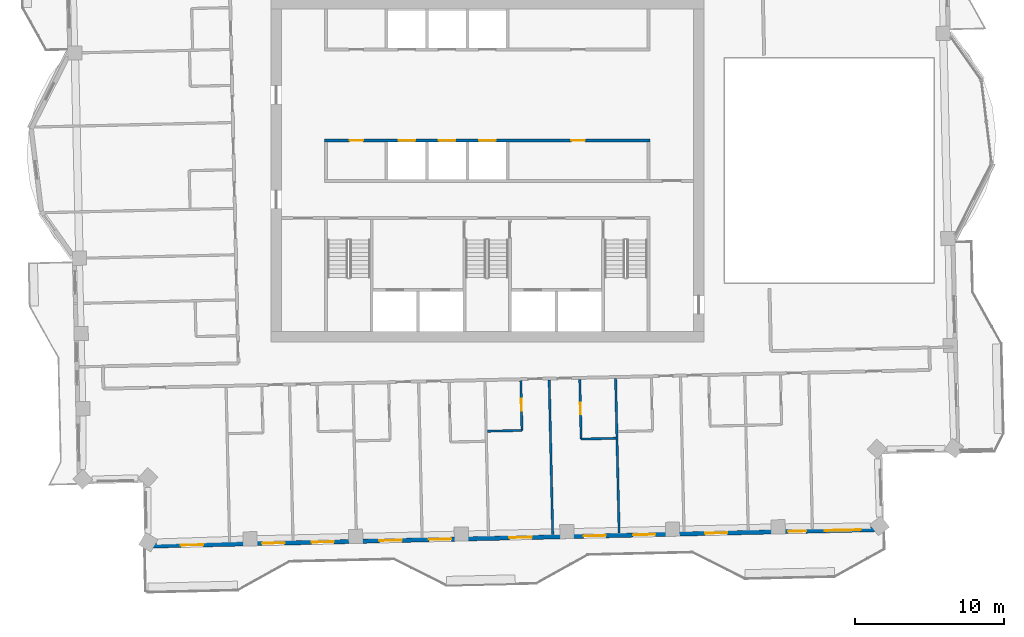
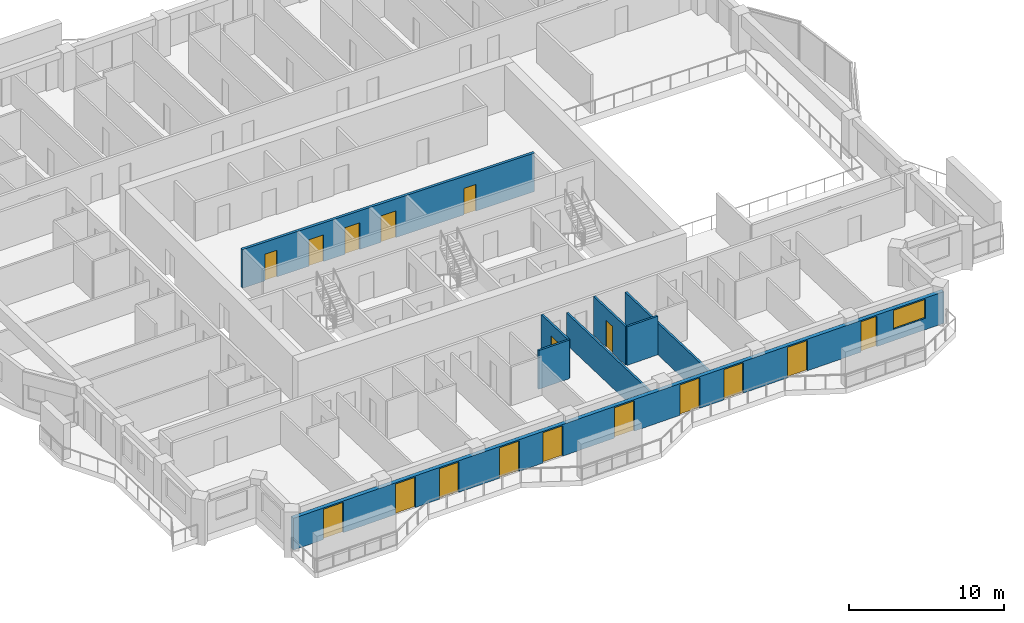
# One storey, part 10 of 19: 17 doors, 8 walls, 1 window, 18 openings.
"""IFC4 building model written with IfcOpenShell, lengths in metres."""

from ifc_helpers import new_model, si_unit, direction, frame, frame_2d, origin, place, context, subcontext, project, spatial, rectangle, extrude, material, layer, layer_set, type_object, element, fill, save


model = new_model("IFC4")

# Units and contexts
model_context = context("Model", 3, precision=1e-05, world=origin(), true_north=direction((0.0, 1.0)))
body_context = subcontext(model_context, "Body", "Model", "MODEL_VIEW")
ifc_project = project(units=[si_unit("LENGTHUNIT", "METRE"), si_unit("AREAUNIT", "SQUARE_METRE"), si_unit("VOLUMEUNIT", "CUBIC_METRE"), si_unit("PLANEANGLEUNIT", "RADIAN"), si_unit("MASSUNIT", "GRAM", prefix="KILO")], contexts=[model_context])

# Site, building, storey
site_placement = place(None, origin())
site = spatial("IfcSite", under=ifc_project, at=site_placement, CompositionType="ELEMENT")
building_placement = place(site_placement, origin())
building = spatial("IfcBuilding", under=site, at=building_placement, Name="Mangrove Gate Tower", CompositionType="ELEMENT")
storey_placement = place(building_placement, frame((0.0, 0.0, 283.5)))
storey = spatial("IfcBuildingStorey", under=building, at=storey_placement, Name="L72", CompositionType="ELEMENT", Elevation=283.5)

# Wall, openings, doors
ifc_material_1 = material(Name="Concrete C50/60", Category="concrete")
ifc_layer_1 = layer(ifc_material_1, 0.199951171875)
ifc_layer_set_1 = layer_set([ifc_layer_1], Name="Core shaft wall 200 C50/60")
wall_type_1 = type_object("IfcWallType", Name="Core shaft wall 200 C50/60", PredefinedType="SHEAR", material=ifc_layer_set_1)
wall_1_placement = place(storey_placement, frame((-10.89990234375, 2.0, 0.0), z_axis=(0.0, 0.0, 1.0), x_axis=(1.0, 0.0, 0.0)))
wall_1 = element("IfcWall", 1, at=wall_1_placement, inside=storey, type_object=wall_type_1, Name="WALL-L72-CORE-7", PredefinedType="SHEAR", context=body_context, shape_type="SweptSolid", body=[
    extrude(rectangle(XDim=21.7998046875, YDim=0.199951171875, at=frame_2d((10.89990234375, 0.0))), origin(), (0.0, 0.0, 1.0), 3.050048828125),
])
opening_1_placement = place(wall_1_placement, frame((4.949951171875, 0.0, 0.0)))
opening_1 = element("IfcOpeningElement", 2, at=opening_1_placement, cuts=wall_1, Name="Opening LD", PredefinedType="OPENING", context=body_context, shape_type="SweptSolid", body=[
    extrude(rectangle(XDim=1.10009765625, YDim=2.10009765625, at=frame_2d((0.550048828125, 1.050048828125))), frame((0.0, 0.10986328125, 0.0), z_axis=(0.0, -1.0, 0.0), x_axis=(1.0, 0.0, 0.0)), (0.0, 0.0, 1.0), 0.219970703125),
])
opening_2_placement = place(wall_1_placement, frame((7.64990234375, 0.0, 0.0)))
opening_2 = element("IfcOpeningElement", 3, at=opening_2_placement, cuts=wall_1, Name="Opening LD", PredefinedType="OPENING", context=body_context, shape_type="SweptSolid", body=[
    extrude(rectangle(XDim=1.10009765625, YDim=2.10009765625, at=frame_2d((0.550048828125, 1.050048828125))), frame((0.0, 0.10986328125, 0.0), z_axis=(0.0, -1.0, 0.0), x_axis=(1.0, 0.0, 0.0)), (0.0, 0.0, 1.0), 0.219970703125),
])
opening_3_placement = place(wall_1_placement, frame((10.35009765625, 0.0, 0.0)))
opening_3 = element("IfcOpeningElement", 4, at=opening_3_placement, cuts=wall_1, Name="Opening LD", PredefinedType="OPENING", context=body_context, shape_type="SweptSolid", body=[
    extrude(rectangle(XDim=1.10009765625, YDim=2.10009765625, at=frame_2d((0.550048828125, 1.050048828125))), frame((0.0, 0.10986328125, 0.0), z_axis=(0.0, -1.0, 0.0), x_axis=(1.0, 0.0, 0.0)), (0.0, 0.0, 1.0), 0.219970703125),
])
opening_4_placement = place(wall_1_placement, frame((1.675048828125, 0.0, 0.0)))
opening_4 = element("IfcOpeningElement", 5, at=opening_4_placement, cuts=wall_1, Name="Opening KD", PredefinedType="OPENING", context=body_context, shape_type="SweptSolid", body=[
    extrude(rectangle(XDim=0.89990234375, YDim=2.10009765625, at=frame_2d((0.449951171875, 1.050048828125))), frame((0.0, 0.10986328125, 0.0), z_axis=(0.0, -1.0, 0.0), x_axis=(1.0, 0.0, 0.0)), (0.0, 0.0, 1.0), 0.219970703125),
])
opening_5_placement = place(wall_1_placement, frame((16.52490234375, 0.0, 0.0)))
opening_5 = element("IfcOpeningElement", 6, at=opening_5_placement, cuts=wall_1, Name="Opening KD", PredefinedType="OPENING", context=body_context, shape_type="SweptSolid", body=[
    extrude(rectangle(XDim=0.89990234375, YDim=2.10009765625, at=frame_2d((0.449951171875, 1.050048828125))), frame((0.0, 0.10986328125, 0.0), z_axis=(0.0, -1.0, 0.0), x_axis=(1.0, 0.0, 0.0)), (0.0, 0.0, 1.0), 0.219970703125),
])
ifc_material_2 = material(Name="Fire-rated steel door set", Category="steel")
door_type_1 = type_object("IfcDoorType", Name="Core room door FD30S 900x2100", OperationType="SINGLE_SWING_RIGHT", PredefinedType="DOOR", material=ifc_material_2)
door_1_placement = place(opening_4_placement, origin())
door_1 = element("IfcDoor", 7, at=door_1_placement, inside=storey, type_object=door_type_1, Name="Core room door Pantry store", OperationType="SINGLE_SWING_RIGHT", OverallHeight=2.10009765625, OverallWidth=0.89990234375, PredefinedType="DOOR", context=body_context, shape_type="SweptSolid", body=[
    extrude(rectangle(XDim=0.89990234375, YDim=2.10009765625, at=frame_2d((0.449951171875, 1.050048828125))), frame((0.0, 0.02490234375, 0.0), z_axis=(0.0, -1.0, 0.0), x_axis=(1.0, 0.0, 0.0)), (0.0, 0.0, 1.0), 0.050048828125),
])
fill(opening_4, door_1)
door_2_placement = place(opening_5_placement, origin())
door_2 = element("IfcDoor", 8, at=door_2_placement, inside=storey, type_object=door_type_1, Name="Core room door Cleaner's store", OperationType="SINGLE_SWING_RIGHT", OverallHeight=2.10009765625, OverallWidth=0.89990234375, PredefinedType="DOOR", context=body_context, shape_type="SweptSolid", body=[
    extrude(rectangle(XDim=0.89990234375, YDim=2.10009765625, at=frame_2d((0.449951171875, 1.050048828125))), frame((0.0, 0.02490234375, 0.0), z_axis=(0.0, -1.0, 0.0), x_axis=(1.0, 0.0, 0.0)), (0.0, 0.0, 1.0), 0.050048828125),
])
fill(opening_5, door_2)
ifc_material_3 = material(Name="Stainless steel 316", Category="steel")
door_type_2 = type_object("IfcDoorType", Name="Lift landing door 1100x2100", OperationType="SLIDING_TO_LEFT", PredefinedType="DOOR", material=ifc_material_3)
door_3_placement = place(opening_1_placement, origin())
door_3 = element("IfcDoor", 9, at=door_3_placement, inside=storey, type_object=door_type_2, Name="Landing door LD H01", OperationType="SLIDING_TO_LEFT", OverallHeight=2.10009765625, OverallWidth=1.10009765625, PredefinedType="DOOR", context=body_context, shape_type="SweptSolid", body=[
    extrude(rectangle(XDim=1.10009765625, YDim=2.10009765625, at=frame_2d((0.550048828125, 1.050048828125))), frame((0.0, 0.02490234375, 0.0), z_axis=(0.0, -1.0, 0.0), x_axis=(1.0, 0.0, 0.0)), (0.0, 0.0, 1.0), 0.050048828125),
])
fill(opening_1, door_3)
door_4_placement = place(opening_2_placement, origin())
door_4 = element("IfcDoor", 10, at=door_4_placement, inside=storey, type_object=door_type_2, Name="Landing door LD H02", OperationType="SLIDING_TO_LEFT", OverallHeight=2.10009765625, OverallWidth=1.10009765625, PredefinedType="DOOR", context=body_context, shape_type="SweptSolid", body=[
    extrude(rectangle(XDim=1.10009765625, YDim=2.10009765625, at=frame_2d((0.550048828125, 1.050048828125))), frame((0.0, 0.02490234375, 0.0), z_axis=(0.0, -1.0, 0.0), x_axis=(1.0, 0.0, 0.0)), (0.0, 0.0, 1.0), 0.050048828125),
])
fill(opening_2, door_4)
door_5_placement = place(opening_3_placement, origin())
door_5 = element("IfcDoor", 11, at=door_5_placement, inside=storey, type_object=door_type_2, Name="Landing door LD H03", OperationType="SLIDING_TO_LEFT", OverallHeight=2.10009765625, OverallWidth=1.10009765625, PredefinedType="DOOR", context=body_context, shape_type="SweptSolid", body=[
    extrude(rectangle(XDim=1.10009765625, YDim=2.10009765625, at=frame_2d((0.550048828125, 1.050048828125))), frame((0.0, 0.02490234375, 0.0), z_axis=(0.0, -1.0, 0.0), x_axis=(1.0, 0.0, 0.0)), (0.0, 0.0, 1.0), 0.050048828125),
])
fill(opening_3, door_5)

# Wall, openings, doors, window
ifc_material_4 = material(Name="Limestone", Category="masonry")
ifc_layer_2 = layer(ifc_material_4, 0.0400390625, Name="Limestone cladding")
ifc_material_5 = material(Name="Ventilated air gap")
ifc_layer_3 = layer(ifc_material_5, 0.0400390625, Name="Ventilated cavity")
ifc_material_6 = material(Name="Mineral wool insulation")
ifc_layer_4 = layer(ifc_material_6, 0.06005859375, Name="Insulation")
ifc_material_7 = material(Name="Breather membrane")
ifc_layer_5 = layer(ifc_material_7, 0.001953125, Name="Breather membrane")
ifc_material_8 = material(Name="Concrete C20/25 blockwork", Category="masonry")
ifc_layer_6 = layer(ifc_material_8, 0.14990234375, Name="Blockwork backing wall")
ifc_material_9 = material(Name="Gypsum plaster")
ifc_layer_7 = layer(ifc_material_9, 0.008056640625, Name="Internal plaster")
ifc_layer_set_2 = layer_set([ifc_layer_2, ifc_layer_3, ifc_layer_4, ifc_layer_5, ifc_layer_6, ifc_layer_7], Name="External wall 300 limestone cladding")
wall_type_2 = type_object("IfcWallType", Name="External wall 300 limestone cladding", PredefinedType="SOLIDWALL", material=ifc_layer_set_2)
wall_2_placement = place(storey_placement, frame((-22.81591796875, -25.160888671875, 0.0), z_axis=(0.0, 0.0, 1.0), x_axis=(0.999742646411, 0.022685699159, 0.0)))
wall_2 = element("IfcWall", 12, at=wall_2_placement, inside=storey, type_object=wall_type_2, Name="WALL-L72-S13", PredefinedType="SOLIDWALL", context=body_context, shape_type="SweptSolid", body=[
    extrude(rectangle(XDim=49.235595703125, YDim=0.300048828125, at=frame_2d((24.61767578125, 0.0))), origin(), (0.0, 0.0, 1.0), 2.5),
])
opening_6_placement = place(wall_2_placement, frame((2.277099609375, 0.0, 0.0)))
opening_6 = element("IfcOpeningElement", 13, at=opening_6_placement, cuts=wall_2, Name="Opening BD1", PredefinedType="OPENING", context=body_context, shape_type="SweptSolid", body=[
    extrude(rectangle(XDim=1.5, YDim=2.39990234375, at=frame_2d((0.75, 1.199951171875))), frame((0.0, 0.159912109375, 0.0), z_axis=(0.0, -1.0, 0.0), x_axis=(1.0, 0.0, 0.0)), (0.0, 0.0, 1.0), 0.320068359375),
])
opening_7_placement = place(wall_2_placement, frame((7.72607421875, 0.0, 0.0)))
opening_7 = element("IfcOpeningElement", 14, at=opening_7_placement, cuts=wall_2, Name="Opening BD1", PredefinedType="OPENING", context=body_context, shape_type="SweptSolid", body=[
    extrude(rectangle(XDim=1.5, YDim=2.39990234375, at=frame_2d((0.75, 1.199951171875))), frame((0.0, 0.159912109375, 0.0), z_axis=(0.0, -1.0, 0.0), x_axis=(1.0, 0.0, 0.0)), (0.0, 0.0, 1.0), 0.320068359375),
])
opening_8_placement = place(wall_2_placement, frame((11.0390625, 0.0, 0.0)))
opening_8 = element("IfcOpeningElement", 15, at=opening_8_placement, cuts=wall_2, Name="Opening BD1", PredefinedType="OPENING", context=body_context, shape_type="SweptSolid", body=[
    extrude(rectangle(XDim=1.5, YDim=2.39990234375, at=frame_2d((0.75, 1.199951171875))), frame((0.0, 0.159912109375, 0.0), z_axis=(0.0, -1.0, 0.0), x_axis=(1.0, 0.0, 0.0)), (0.0, 0.0, 1.0), 0.320068359375),
])
opening_9_placement = place(wall_2_placement, frame((15.589111328125, 0.0, 0.0)))
opening_9 = element("IfcOpeningElement", 16, at=opening_9_placement, cuts=wall_2, Name="Opening BD1", PredefinedType="OPENING", context=body_context, shape_type="SweptSolid", body=[
    extrude(rectangle(XDim=1.5, YDim=2.39990234375, at=frame_2d((0.75, 1.199951171875))), frame((0.0, 0.159912109375, 0.0), z_axis=(0.0, -1.0, 0.0), x_axis=(1.0, 0.0, 0.0)), (0.0, 0.0, 1.0), 0.320068359375),
])
opening_10_placement = place(wall_2_placement, frame((18.903076171875, 0.0, 0.0)))
opening_10 = element("IfcOpeningElement", 17, at=opening_10_placement, cuts=wall_2, Name="Opening BD1", PredefinedType="OPENING", context=body_context, shape_type="SweptSolid", body=[
    extrude(rectangle(XDim=1.5, YDim=2.39990234375, at=frame_2d((0.75, 1.199951171875))), frame((0.0, 0.159912109375, 0.0), z_axis=(0.0, -1.0, 0.0), x_axis=(1.0, 0.0, 0.0)), (0.0, 0.0, 1.0), 0.320068359375),
])
opening_11_placement = place(wall_2_placement, frame((24.300048828125, 0.0, 0.0)))
opening_11 = element("IfcOpeningElement", 18, at=opening_11_placement, cuts=wall_2, Name="Opening BD1", PredefinedType="OPENING", context=body_context, shape_type="SweptSolid", body=[
    extrude(rectangle(XDim=1.5, YDim=2.39990234375, at=frame_2d((0.75, 1.199951171875))), frame((0.0, 0.159912109375, 0.0), z_axis=(0.0, -1.0, 0.0), x_axis=(1.0, 0.0, 0.0)), (0.0, 0.0, 1.0), 0.320068359375),
])
opening_12_placement = place(wall_2_placement, frame((29.264892578125, 0.0, 0.0)))
opening_12 = element("IfcOpeningElement", 19, at=opening_12_placement, cuts=wall_2, Name="Opening BD1", PredefinedType="OPENING", context=body_context, shape_type="SweptSolid", body=[
    extrude(rectangle(XDim=1.5, YDim=2.39990234375, at=frame_2d((0.75, 1.199951171875))), frame((0.0, 0.159912109375, 0.0), z_axis=(0.0, -1.0, 0.0), x_axis=(1.0, 0.0, 0.0)), (0.0, 0.0, 1.0), 0.320068359375),
])
opening_13_placement = place(wall_2_placement, frame((32.5791015625, 0.0, 0.0)))
opening_13 = element("IfcOpeningElement", 20, at=opening_13_placement, cuts=wall_2, Name="Opening BD1", PredefinedType="OPENING", context=body_context, shape_type="SweptSolid", body=[
    extrude(rectangle(XDim=1.5, YDim=2.39990234375, at=frame_2d((0.75, 1.199951171875))), frame((0.0, 0.159912109375, 0.0), z_axis=(0.0, -1.0, 0.0), x_axis=(1.0, 0.0, 0.0)), (0.0, 0.0, 1.0), 0.320068359375),
])
opening_14_placement = place(wall_2_placement, frame((37.39990234375, 0.0, 0.0)))
opening_14 = element("IfcOpeningElement", 21, at=opening_14_placement, cuts=wall_2, Name="Opening BD1", PredefinedType="OPENING", context=body_context, shape_type="SweptSolid", body=[
    extrude(rectangle(XDim=1.5, YDim=2.39990234375, at=frame_2d((0.75, 1.199951171875))), frame((0.0, 0.159912109375, 0.0), z_axis=(0.0, -1.0, 0.0), x_axis=(1.0, 0.0, 0.0)), (0.0, 0.0, 1.0), 0.320068359375),
])
opening_15_placement = place(wall_2_placement, frame((42.967041015625, 0.0, 0.0)))
opening_15 = element("IfcOpeningElement", 22, at=opening_15_placement, cuts=wall_2, Name="Opening BD2", PredefinedType="OPENING", context=body_context, shape_type="SweptSolid", body=[
    extrude(rectangle(XDim=1.199951171875, YDim=2.39990234375, at=frame_2d((0.60009765625, 1.199951171875))), frame((0.0, 0.159912109375, 0.0), z_axis=(0.0, -1.0, 0.0), x_axis=(1.0, 0.0, 0.0)), (0.0, 0.0, 1.0), 0.320068359375),
])
opening_16_placement = place(wall_2_placement, frame((45.4208984375, 0.0, 0.89990234375)))
opening_16 = element("IfcOpeningElement", 23, at=opening_16_placement, cuts=wall_2, Name="Opening W2", PredefinedType="OPENING", context=body_context, shape_type="SweptSolid", body=[
    extrude(rectangle(XDim=2.39990234375, YDim=1.5, at=frame_2d((1.199951171875, 0.75))), frame((0.0, 0.159912109375, 0.0), z_axis=(0.0, -1.0, 0.0), x_axis=(1.0, 0.0, 0.0)), (0.0, 0.0, 1.0), 0.320068359375),
])
ifc_material_10 = material(Name="Aluminium frame with laminated clear glass", Category="aluminium")
door_type_3 = type_object("IfcDoorType", Name="Balcony sliding door 1200x2400", OperationType="SLIDING_TO_LEFT", PredefinedType="DOOR", material=ifc_material_10)
door_6_placement = place(opening_15_placement, origin())
door_6 = element("IfcDoor", 24, at=door_6_placement, inside=storey, type_object=door_type_3, Name="DOOR-L72-S13-10", OperationType="SLIDING_TO_LEFT", OverallHeight=2.39990234375, OverallWidth=1.199951171875, PredefinedType="DOOR", context=body_context, shape_type="SweptSolid", body=[
    extrude(rectangle(XDim=1.199951171875, YDim=2.39990234375, at=frame_2d((0.60009765625, 1.199951171875))), frame((0.0, 0.02490234375, 0.0), z_axis=(0.0, -1.0, 0.0), x_axis=(1.0, 0.0, 0.0)), (0.0, 0.0, 1.0), 0.050048828125),
])
fill(opening_15, door_6)
ifc_material_11 = material(Name="Aluminium frame with laminated clear glass", Category="aluminium")
door_type_4 = type_object("IfcDoorType", Name="Balcony sliding door 1500x2400", OperationType="SLIDING_TO_LEFT", PredefinedType="DOOR", material=ifc_material_11)
door_7_placement = place(opening_6_placement, origin())
door_7 = element("IfcDoor", 25, at=door_7_placement, inside=storey, type_object=door_type_4, Name="DOOR-L72-S13-1", OperationType="SLIDING_TO_LEFT", OverallHeight=2.39990234375, OverallWidth=1.5, PredefinedType="DOOR", context=body_context, shape_type="SweptSolid", body=[
    extrude(rectangle(XDim=1.5, YDim=2.39990234375, at=frame_2d((0.75, 1.199951171875))), frame((0.0, 0.02490234375, 0.0), z_axis=(0.0, -1.0, 0.0), x_axis=(1.0, 0.0, 0.0)), (0.0, 0.0, 1.0), 0.050048828125),
])
fill(opening_6, door_7)
door_8_placement = place(opening_7_placement, origin())
door_8 = element("IfcDoor", 26, at=door_8_placement, inside=storey, type_object=door_type_4, Name="DOOR-L72-S13-2", OperationType="SLIDING_TO_LEFT", OverallHeight=2.39990234375, OverallWidth=1.5, PredefinedType="DOOR", context=body_context, shape_type="SweptSolid", body=[
    extrude(rectangle(XDim=1.5, YDim=2.39990234375, at=frame_2d((0.75, 1.199951171875))), frame((0.0, 0.02490234375, 0.0), z_axis=(0.0, -1.0, 0.0), x_axis=(1.0, 0.0, 0.0)), (0.0, 0.0, 1.0), 0.050048828125),
])
fill(opening_7, door_8)
door_9_placement = place(opening_8_placement, origin())
door_9 = element("IfcDoor", 27, at=door_9_placement, inside=storey, type_object=door_type_4, Name="DOOR-L72-S13-3", OperationType="SLIDING_TO_LEFT", OverallHeight=2.39990234375, OverallWidth=1.5, PredefinedType="DOOR", context=body_context, shape_type="SweptSolid", body=[
    extrude(rectangle(XDim=1.5, YDim=2.39990234375, at=frame_2d((0.75, 1.199951171875))), frame((0.0, 0.02490234375, 0.0), z_axis=(0.0, -1.0, 0.0), x_axis=(1.0, 0.0, 0.0)), (0.0, 0.0, 1.0), 0.050048828125),
])
fill(opening_8, door_9)
door_10_placement = place(opening_9_placement, origin())
door_10 = element("IfcDoor", 28, at=door_10_placement, inside=storey, type_object=door_type_4, Name="DOOR-L72-S13-4", OperationType="SLIDING_TO_LEFT", OverallHeight=2.39990234375, OverallWidth=1.5, PredefinedType="DOOR", context=body_context, shape_type="SweptSolid", body=[
    extrude(rectangle(XDim=1.5, YDim=2.39990234375, at=frame_2d((0.75, 1.199951171875))), frame((0.0, 0.02490234375, 0.0), z_axis=(0.0, -1.0, 0.0), x_axis=(1.0, 0.0, 0.0)), (0.0, 0.0, 1.0), 0.050048828125),
])
fill(opening_9, door_10)
door_11_placement = place(opening_10_placement, origin())
door_11 = element("IfcDoor", 29, at=door_11_placement, inside=storey, type_object=door_type_4, Name="DOOR-L72-S13-5", OperationType="SLIDING_TO_LEFT", OverallHeight=2.39990234375, OverallWidth=1.5, PredefinedType="DOOR", context=body_context, shape_type="SweptSolid", body=[
    extrude(rectangle(XDim=1.5, YDim=2.39990234375, at=frame_2d((0.75, 1.199951171875))), frame((0.0, 0.02490234375, 0.0), z_axis=(0.0, -1.0, 0.0), x_axis=(1.0, 0.0, 0.0)), (0.0, 0.0, 1.0), 0.050048828125),
])
fill(opening_10, door_11)
door_12_placement = place(opening_11_placement, origin())
door_12 = element("IfcDoor", 30, at=door_12_placement, inside=storey, type_object=door_type_4, Name="DOOR-L72-S13-6", OperationType="SLIDING_TO_LEFT", OverallHeight=2.39990234375, OverallWidth=1.5, PredefinedType="DOOR", context=body_context, shape_type="SweptSolid", body=[
    extrude(rectangle(XDim=1.5, YDim=2.39990234375, at=frame_2d((0.75, 1.199951171875))), frame((0.0, 0.02490234375, 0.0), z_axis=(0.0, -1.0, 0.0), x_axis=(1.0, 0.0, 0.0)), (0.0, 0.0, 1.0), 0.050048828125),
])
fill(opening_11, door_12)
door_13_placement = place(opening_12_placement, origin())
door_13 = element("IfcDoor", 31, at=door_13_placement, inside=storey, type_object=door_type_4, Name="DOOR-L72-S13-7", OperationType="SLIDING_TO_LEFT", OverallHeight=2.39990234375, OverallWidth=1.5, PredefinedType="DOOR", context=body_context, shape_type="SweptSolid", body=[
    extrude(rectangle(XDim=1.5, YDim=2.39990234375, at=frame_2d((0.75, 1.199951171875))), frame((0.0, 0.02490234375, 0.0), z_axis=(0.0, -1.0, 0.0), x_axis=(1.0, 0.0, 0.0)), (0.0, 0.0, 1.0), 0.050048828125),
])
fill(opening_12, door_13)
door_14_placement = place(opening_13_placement, origin())
door_14 = element("IfcDoor", 32, at=door_14_placement, inside=storey, type_object=door_type_4, Name="DOOR-L72-S13-8", OperationType="SLIDING_TO_LEFT", OverallHeight=2.39990234375, OverallWidth=1.5, PredefinedType="DOOR", context=body_context, shape_type="SweptSolid", body=[
    extrude(rectangle(XDim=1.5, YDim=2.39990234375, at=frame_2d((0.75, 1.199951171875))), frame((0.0, 0.02490234375, 0.0), z_axis=(0.0, -1.0, 0.0), x_axis=(1.0, 0.0, 0.0)), (0.0, 0.0, 1.0), 0.050048828125),
])
fill(opening_13, door_14)
door_15_placement = place(opening_14_placement, origin())
door_15 = element("IfcDoor", 33, at=door_15_placement, inside=storey, type_object=door_type_4, Name="DOOR-L72-S13-9", OperationType="SLIDING_TO_LEFT", OverallHeight=2.39990234375, OverallWidth=1.5, PredefinedType="DOOR", context=body_context, shape_type="SweptSolid", body=[
    extrude(rectangle(XDim=1.5, YDim=2.39990234375, at=frame_2d((0.75, 1.199951171875))), frame((0.0, 0.02490234375, 0.0), z_axis=(0.0, -1.0, 0.0), x_axis=(1.0, 0.0, 0.0)), (0.0, 0.0, 1.0), 0.050048828125),
])
fill(opening_14, door_15)
ifc_material_12 = material(Name="Aluminium frame with double-glazed low-e glass", Category="aluminium")
window_type = type_object("IfcWindowType", Name="Corner room window 2400x1500", PartitioningType="DOUBLE_PANEL_VERTICAL", PredefinedType="WINDOW", material=ifc_material_12)
window_placement = place(opening_16_placement, origin())
window = element("IfcWindow", 34, at=window_placement, inside=storey, type_object=window_type, Name="WIN-L72-S13-11", OverallHeight=1.5, OverallWidth=2.39990234375, PartitioningType="DOUBLE_PANEL_VERTICAL", PredefinedType="WINDOW", context=body_context, shape_type="SweptSolid", body=[
    extrude(rectangle(XDim=2.39990234375, YDim=1.5, at=frame_2d((1.199951171875, 0.75))), frame((0.0, 0.030029296875, 0.0), z_axis=(0.0, -1.0, 0.0), x_axis=(1.0, 0.0, 0.0)), (0.0, 0.0, 1.0), 0.06005859375),
])
fill(opening_16, window)

# Walls
ifc_material_13 = material(Name="Gypsum board on steel stud, EI 60", Category="steel")
ifc_layer_8 = layer(ifc_material_13, 0.14990234375)
ifc_layer_set_3 = layer_set([ifc_layer_8], Name="Party wall 150 EI 60")
wall_type_3 = type_object("IfcWallType", Name="Party wall 150 EI 60", PredefinedType="PARTITIONING", material=ifc_layer_set_3)
wall_3_placement = place(storey_placement, frame((4.3720703125, -24.39404296875, 0.0), z_axis=(0.0, 0.0, 1.0), x_axis=(-0.022713904397, 0.999742005993, 0.0)))
element("IfcWall", 35, at=wall_3_placement, inside=storey, type_object=wall_type_3, Name="WALL-L72-006", PredefinedType="PARTITIONING", context=body_context, shape_type="SweptSolid", body=[
    extrude(rectangle(XDim=10.350830078125, YDim=0.14990234375, at=frame_2d((5.17529296875, 0.0))), origin(), (0.0, 0.0, 1.0), 2.5),
])
wall_4_placement = place(storey_placement, frame((8.820068359375, -24.29296875, 0.0), z_axis=(0.0, 0.0, 1.0), x_axis=(-0.022622273571, 0.999744083623, 0.0)))
element("IfcWall", 36, at=wall_4_placement, inside=storey, type_object=wall_type_3, Name="WALL-L72-007", PredefinedType="PARTITIONING", context=body_context, shape_type="SweptSolid", body=[
    extrude(rectangle(XDim=10.349609375, YDim=0.14990234375, at=frame_2d((5.1748046875, 0.0))), origin(), (0.0, 0.0, 1.0), 2.5),
])

# Wall, opening, door
wall_5_placement = place(storey_placement, frame((6.277099609375, -17.9990234375, 0.0), z_axis=(0.0, 0.0, 1.0), x_axis=(-0.022765770952, 0.999740826251, 0.0)))
wall_5 = element("IfcWall", 37, at=wall_5_placement, inside=storey, type_object=wall_type_3, Name="WALL-L72-013", PredefinedType="PARTITIONING", context=body_context, shape_type="SweptSolid", body=[
    extrude(rectangle(XDim=4.0, YDim=0.14990234375, at=frame_2d((2.0, 0.0))), origin(), (0.0, 0.0, 1.0), 3.050048828125),
])
opening_17_placement = place(wall_5_placement, frame((1.64990234375, 0.0, 0.0)))
opening_17 = element("IfcOpeningElement", 38, at=opening_17_placement, cuts=wall_5, Name="Opening ED", PredefinedType="OPENING", context=body_context, shape_type="SweptSolid", body=[
    extrude(rectangle(XDim=0.800048828125, YDim=2.10009765625, at=frame_2d((0.39990234375, 1.050048828125))), frame((0.0, 0.0849609375, 0.0), z_axis=(0.0, -1.0, 0.0), x_axis=(1.0, 0.0, 0.0)), (0.0, 0.0, 1.0), 0.169921875),
])
ifc_material_14 = material(Name="Timber door leaf", Category="wood")
door_type_5 = type_object("IfcDoorType", Name="En-suite door 800", OperationType="SINGLE_SWING_LEFT", PredefinedType="DOOR", material=ifc_material_14)
door_16_placement = place(opening_17_placement, origin())
door_16 = element("IfcDoor", 39, at=door_16_placement, inside=storey, type_object=door_type_5, Name="DOOR-L72-ENS-c206", OperationType="SINGLE_SWING_RIGHT", OverallHeight=2.10009765625, OverallWidth=0.800048828125, PredefinedType="DOOR", context=body_context, shape_type="SweptSolid", body=[
    extrude(rectangle(XDim=0.800048828125, YDim=2.10009765625, at=frame_2d((0.39990234375, 1.050048828125))), frame((0.0, 0.02490234375, 0.0), z_axis=(0.0, -1.0, 0.0), x_axis=(1.0, 0.0, 0.0)), (0.0, 0.0, 1.0), 0.050048828125),
])
fill(opening_17, door_16)

# Walls
wall_6_placement = place(storey_placement, frame((6.279052734375, -17.9990234375, 0.0), z_axis=(0.0, 0.0, 1.0), x_axis=(0.999740260747, 0.02279059109, 0.0)))
element("IfcWall", 40, at=wall_6_placement, inside=storey, type_object=wall_type_3, Name="WALL-L72-014", PredefinedType="PARTITIONING", context=body_context, shape_type="SweptSolid", body=[
    extrude(rectangle(XDim=2.324462890625, YDim=0.14990234375, at=frame_2d((1.162109375, 0.0))), origin(), (0.0, 0.0, 1.0), 3.050048828125),
])
wall_7_placement = place(storey_placement, frame((-0.010009765625, -17.470947265625, 0.0), z_axis=(0.0, 0.0, 1.0), x_axis=(0.999749954681, 0.022361308448, 0.0)))
element("IfcWall", 41, at=wall_7_placement, inside=storey, type_object=wall_type_3, Name="WALL-L72-019", PredefinedType="PARTITIONING", context=body_context, shape_type="SweptSolid", body=[
    extrude(rectangle(XDim=2.325439453125, YDim=0.14990234375, at=frame_2d((1.16259765625, 0.0))), origin(), (0.0, 0.0, 1.0), 3.050048828125),
])

# Wall, opening, door
wall_8_placement = place(storey_placement, frame((2.31298828125, -17.4189453125, 0.0), z_axis=(0.0, 0.0, 1.0), x_axis=(-0.02280301672, 0.999739977408, 0.0)))
wall_8 = element("IfcWall", 42, at=wall_8_placement, inside=storey, type_object=wall_type_3, Name="WALL-L72-020", PredefinedType="PARTITIONING", context=body_context, shape_type="SweptSolid", body=[
    extrude(rectangle(XDim=3.329833984375, YDim=0.14990234375, at=frame_2d((1.6650390625, 0.0))), origin(), (0.0, 0.0, 1.0), 3.050048828125),
])
opening_18_placement = place(wall_8_placement, frame((1.31494140625, 0.0, 0.0)))
opening_18 = element("IfcOpeningElement", 43, at=opening_18_placement, cuts=wall_8, Name="Opening ED", PredefinedType="OPENING", context=body_context, shape_type="SweptSolid", body=[
    extrude(rectangle(XDim=0.800048828125, YDim=2.10009765625, at=frame_2d((0.39990234375, 1.050048828125))), frame((0.0, 0.0849609375, 0.0), z_axis=(0.0, -1.0, 0.0), x_axis=(1.0, 0.0, 0.0)), (0.0, 0.0, 1.0), 0.169921875),
])
door_17_placement = place(opening_18_placement, origin())
door_17 = element("IfcDoor", 44, at=door_17_placement, inside=storey, type_object=door_type_5, Name="DOOR-L72-ENS-c205", OperationType="SINGLE_SWING_LEFT", OverallHeight=2.10009765625, OverallWidth=0.800048828125, PredefinedType="DOOR", context=body_context, shape_type="SweptSolid", body=[
    extrude(rectangle(XDim=0.800048828125, YDim=2.10009765625, at=frame_2d((0.39990234375, 1.050048828125))), frame((0.0, 0.02490234375, 0.0), z_axis=(0.0, -1.0, 0.0), x_axis=(1.0, 0.0, 0.0)), (0.0, 0.0, 1.0), 0.050048828125),
])
fill(opening_18, door_17)

save(model, "model.ifc")
